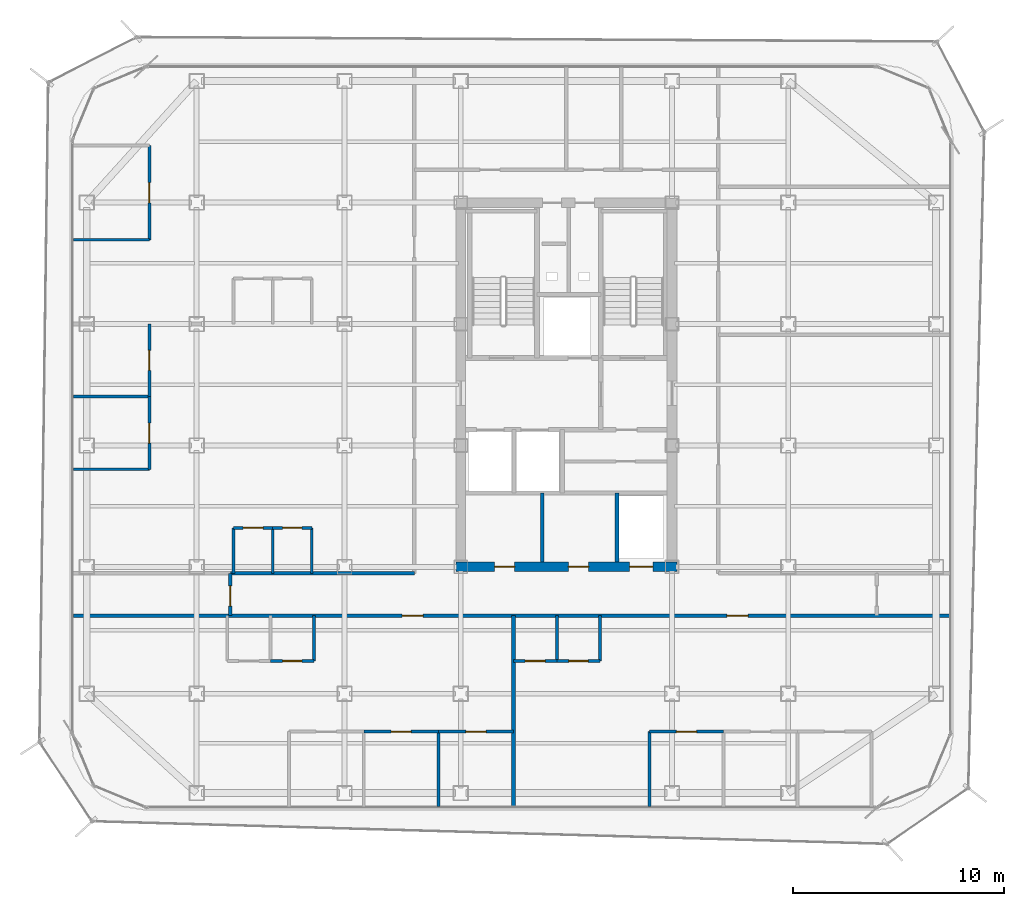
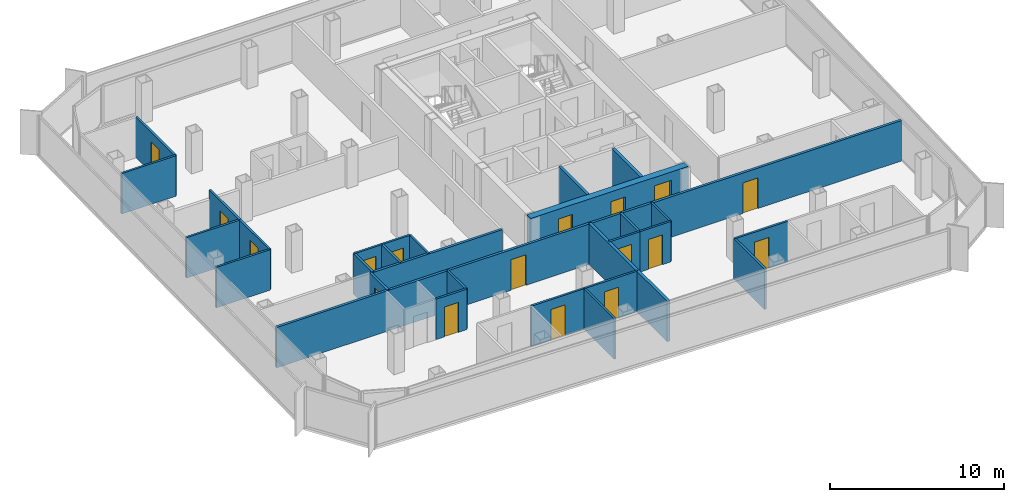
# One storey, part 10 of 15: 29 walls, 17 doors, 17 openings.
"""IFC4 building model written with IfcOpenShell, lengths in metres."""

from ifc_helpers import new_model, si_unit, direction, frame, frame_2d, origin, place, context, subcontext, project, spatial, rectangle, extrude, material, layer, layer_set, type_object, element, fill, save


model = new_model("IFC4")

# Units and contexts
model_context = context("Model", 3, precision=1e-05, world=origin(), true_north=direction((0.0, 1.0)))
body_context = subcontext(model_context, "Body", "Model", "MODEL_VIEW")
ifc_project = project(units=[si_unit("LENGTHUNIT", "METRE"), si_unit("AREAUNIT", "SQUARE_METRE"), si_unit("VOLUMEUNIT", "CUBIC_METRE"), si_unit("PLANEANGLEUNIT", "RADIAN"), si_unit("MASSUNIT", "GRAM", prefix="KILO")], contexts=[model_context])

# Site, building, storey
site_placement = place(None, origin())
site = spatial("IfcSite", under=ifc_project, at=site_placement, CompositionType="ELEMENT")
building_placement = place(site_placement, origin())
building = spatial("IfcBuilding", under=site, at=building_placement, Name="Kolveth Station Tower", CompositionType="ELEMENT")
storey_placement = place(building_placement, frame((0.0, 0.0, 184.89990234375)))
storey = spatial("IfcBuildingStorey", under=building, at=storey_placement, Name="L52", CompositionType="ELEMENT", Elevation=184.89990234375)

# Wall, openings, doors
ifc_material_1 = material(Name="Concrete C50/60", Category="concrete")
ifc_layer_1 = layer(ifc_material_1, 0.449951171875)
ifc_layer_set_1 = layer_set([ifc_layer_1], Name="Concrete C50/60")
wall_type_1 = type_object("IfcWallType", Name="Wall_CW-450", PredefinedType="SHEAR", material=ifc_layer_set_1)
wall_1_placement = place(storey_placement, frame((18.27490234375, 11.5, 0.0), z_axis=(0.0, 0.0, 1.0), x_axis=(1.0, 0.0, 0.0)))
wall_1 = element("IfcWall", 1, at=wall_1_placement, inside=storey, type_object=wall_type_1, Name="L52 Core RC Shear Wall S", PredefinedType="SHEAR", context=body_context, shape_type="SweptSolid", body=[
    extrude(rectangle(XDim=10.4501953125, YDim=0.449951171875, at=frame_2d((5.22509765625, 0.0))), origin(), (0.0, 0.0, 1.0), 2.840087890625),
])
opening_1_placement = place(wall_1_placement, frame((1.824951171875, 0.0, 0.0)))
opening_1 = element("IfcOpeningElement", 2, at=opening_1_placement, cuts=wall_1, Name="Opening ID1", PredefinedType="OPENING", context=body_context, shape_type="SweptSolid", body=[
    extrude(rectangle(XDim=0.949951171875, YDim=2.14990234375, at=frame_2d((0.47509765625, 1.074951171875))), frame((0.0, 0.23486328125, 0.0), z_axis=(0.0, -1.0, 0.0), x_axis=(1.0, 0.0, 0.0)), (0.0, 0.0, 1.0), 0.469970703125),
])
opening_2_placement = place(wall_1_placement, frame((5.324951171875, 0.0, 0.0)))
opening_2 = element("IfcOpeningElement", 3, at=opening_2_placement, cuts=wall_1, Name="Opening ID1", PredefinedType="OPENING", context=body_context, shape_type="SweptSolid", body=[
    extrude(rectangle(XDim=0.949951171875, YDim=2.14990234375, at=frame_2d((0.47509765625, 1.074951171875))), frame((0.0, 0.23486328125, 0.0), z_axis=(0.0, -1.0, 0.0), x_axis=(1.0, 0.0, 0.0)), (0.0, 0.0, 1.0), 0.469970703125),
])
opening_3_placement = place(wall_1_placement, frame((8.22509765625, 0.0, 0.0)))
opening_3 = element("IfcOpeningElement", 4, at=opening_3_placement, cuts=wall_1, Name="Opening LD1", PredefinedType="OPENING", context=body_context, shape_type="SweptSolid", body=[
    extrude(rectangle(XDim=1.10009765625, YDim=2.25, at=frame_2d((0.550048828125, 1.125))), frame((0.0, 0.23486328125, 0.0), z_axis=(0.0, -1.0, 0.0), x_axis=(1.0, 0.0, 0.0)), (0.0, 0.0, 1.0), 0.469970703125),
])
ifc_material_2 = material(Name="Acoustic hardwood leaf and aluminium frame", Category="wood")
door_type_1 = type_object("IfcDoorType", Name="Door_ID1", OperationType="NOTDEFINED", PredefinedType="DOOR", material=ifc_material_2)
door_1_placement = place(opening_1_placement, frame((0.949951171875, 0.0, 0.0), z_axis=(0.0, 0.0, 1.0), x_axis=(-1.0, 0.0, 0.0)))
door_1 = element("IfcDoor", 5, at=door_1_placement, inside=storey, type_object=door_type_1, Name="L52 Laundry Room Door", OperationType="SINGLE_SWING_LEFT", OverallHeight=2.14990234375, OverallWidth=0.949951171875, PredefinedType="DOOR", context=body_context, shape_type="SweptSolid", body=[
    extrude(rectangle(XDim=0.949951171875, YDim=2.14990234375, at=frame_2d((0.47509765625, 1.074951171875))), frame((0.0, 0.02490234375, 0.0), z_axis=(0.0, -1.0, 0.0), x_axis=(1.0, 0.0, 0.0)), (0.0, 0.0, 1.0), 0.050048828125),
])
fill(opening_1, door_1)
door_2_placement = place(opening_2_placement, frame((0.949951171875, 0.0, 0.0), z_axis=(0.0, 0.0, 1.0), x_axis=(-1.0, 0.0, 0.0)))
door_2 = element("IfcDoor", 6, at=door_2_placement, inside=storey, type_object=door_type_1, Name="L52 Parcel Room Door", OperationType="SINGLE_SWING_LEFT", OverallHeight=2.14990234375, OverallWidth=0.949951171875, PredefinedType="DOOR", context=body_context, shape_type="SweptSolid", body=[
    extrude(rectangle(XDim=0.949951171875, YDim=2.14990234375, at=frame_2d((0.47509765625, 1.074951171875))), frame((0.0, 0.02490234375, 0.0), z_axis=(0.0, -1.0, 0.0), x_axis=(1.0, 0.0, 0.0)), (0.0, 0.0, 1.0), 0.050048828125),
])
fill(opening_2, door_2)
ifc_material_3 = material(Name="Brushed stainless steel sliding landing doors", Category="steel")
door_type_2 = type_object("IfcDoorType", Name="Door_LD1", OperationType="NOTDEFINED", PredefinedType="DOOR", material=ifc_material_3)
door_3_placement = place(opening_3_placement, frame((1.10009765625, 0.0, 0.0), z_axis=(0.0, 0.0, 1.0), x_axis=(-1.0, 0.0, 0.0)))
door_3 = element("IfcDoor", 7, at=door_3_placement, inside=storey, type_object=door_type_2, Name="L52 Lift PH1 Landing Door", OperationType="DOUBLE_DOOR_SLIDING", OverallHeight=2.25, OverallWidth=1.10009765625, PredefinedType="DOOR", context=body_context, shape_type="SweptSolid", body=[
    extrude(rectangle(XDim=1.10009765625, YDim=2.25, at=frame_2d((0.550048828125, 1.125))), frame((0.0, 0.02490234375, 0.0), z_axis=(0.0, -1.0, 0.0), x_axis=(1.0, 0.0, 0.0)), (0.0, 0.0, 1.0), 0.050048828125),
])
fill(opening_3, door_3)

# Wall, opening, door
ifc_material_4 = material(Name="Moisture-resistant gypsum partition")
ifc_layer_2 = layer(ifc_material_4, 0.135009765625)
ifc_layer_set_2 = layer_set([ifc_layer_2], Name="Moisture-resistant gypsum partition")
wall_type_2 = type_object("IfcWallType", Name="Wall_IW-135", PredefinedType="PARTITIONING", material=ifc_layer_set_2)
wall_2_placement = place(storey_placement, frame((9.5, 7.050048828125, 0.0), z_axis=(0.0, 0.0, 1.0), x_axis=(1.0, 0.0, 0.0)))
wall_2 = element("IfcWall", 8, at=wall_2_placement, inside=storey, type_object=wall_type_2, Name="L52 Partition Wall WL-L52-A1-IBHB", PredefinedType="PARTITIONING", context=body_context, shape_type="SweptSolid", body=[
    extrude(rectangle(XDim=2.050048828125, YDim=0.135009765625, at=frame_2d((1.02490234375, 0.0))), origin(), (0.0, 0.0, 1.0), 2.840087890625),
])
opening_4_placement = place(wall_2_placement, frame((0.56494140625, 0.0, 0.0)))
opening_4 = element("IfcOpeningElement", 9, at=opening_4_placement, cuts=wall_2, Name="Opening ID2", PredefinedType="OPENING", context=body_context, shape_type="SweptSolid", body=[
    extrude(rectangle(XDim=0.919921875, YDim=2.10009765625, at=frame_2d((0.4599609375, 1.050048828125))), frame((0.0, 0.077392578125, 0.0), z_axis=(0.0, -1.0, 0.0), x_axis=(1.0, 0.0, 0.0)), (0.0, 0.0, 1.0), 0.155029296875),
])
ifc_material_5 = material(Name="Moisture-resistant hardwood leaf", Category="wood")
door_type_3 = type_object("IfcDoorType", Name="Door_ID2", OperationType="NOTDEFINED", PredefinedType="DOOR", material=ifc_material_5)
door_4_placement = place(opening_4_placement, origin())
door_4 = element("IfcDoor", 10, at=door_4_placement, inside=storey, type_object=door_type_3, Name="Penthouse Flat L52-A1 Bathroom Door", OperationType="SINGLE_SWING_LEFT", OverallHeight=2.10009765625, OverallWidth=0.919921875, PredefinedType="DOOR", context=body_context, shape_type="SweptSolid", body=[
    extrude(rectangle(XDim=0.919921875, YDim=2.10009765625, at=frame_2d((0.4599609375, 1.050048828125))), frame((0.0, 0.02490234375, 0.0), z_axis=(0.0, -1.0, 0.0), x_axis=(1.0, 0.0, 0.0)), (0.0, 0.0, 1.0), 0.050048828125),
])
fill(opening_4, door_4)

# Wall
wall_3_placement = place(storey_placement, frame((11.550048828125, 7.050048828125, 0.0), z_axis=(0.0, 0.0, 1.0), x_axis=(0.0, 1.0, 0.0)))
element("IfcWall", 11, at=wall_3_placement, inside=storey, type_object=wall_type_2, Name="L52 Partition Wall WL-L52-A1-IBV2", PredefinedType="PARTITIONING", context=body_context, shape_type="SweptSolid", body=[
    extrude(rectangle(XDim=2.14990234375, YDim=0.135009765625, at=frame_2d((1.074951171875, 0.0))), origin(), (0.0, 0.0, 1.0), 2.840087890625),
])

# Wall, opening, door
wall_4_placement = place(storey_placement, frame((13.911376953125, 3.7099609375, 0.0), z_axis=(0.0, 0.0, 1.0), x_axis=(1.0, 0.0, 0.0)))
wall_4 = element("IfcWall", 12, at=wall_4_placement, inside=storey, type_object=wall_type_2, Name="L52 Partition Wall WL-L52-A1-BDH2", PredefinedType="PARTITIONING", context=body_context, shape_type="SweptSolid", body=[
    extrude(rectangle(XDim=3.54443359375, YDim=0.135009765625, at=frame_2d((1.772216796875, 0.0))), origin(), (0.0, 0.0, 1.0), 2.840087890625),
])
opening_5_placement = place(wall_4_placement, frame((1.2919921875, 0.0, 0.0)))
opening_5 = element("IfcOpeningElement", 13, at=opening_5_placement, cuts=wall_4, Name="Opening ID1", PredefinedType="OPENING", context=body_context, shape_type="SweptSolid", body=[
    extrude(rectangle(XDim=0.949951171875, YDim=2.14990234375, at=frame_2d((0.47509765625, 1.074951171875))), frame((0.0, 0.077392578125, 0.0), z_axis=(0.0, -1.0, 0.0), x_axis=(1.0, 0.0, 0.0)), (0.0, 0.0, 1.0), 0.155029296875),
])
door_5_placement = place(opening_5_placement, frame((0.949951171875, 0.0, 0.0), z_axis=(0.0, 0.0, 1.0), x_axis=(-1.0, 0.0, 0.0)))
door_5 = element("IfcDoor", 14, at=door_5_placement, inside=storey, type_object=door_type_1, Name="Penthouse Flat L52-A1 Bedroom 2 Door", OperationType="SINGLE_SWING_LEFT", OverallHeight=2.14990234375, OverallWidth=0.949951171875, PredefinedType="DOOR", context=body_context, shape_type="SweptSolid", body=[
    extrude(rectangle(XDim=0.949951171875, YDim=2.14990234375, at=frame_2d((0.47509765625, 1.074951171875))), frame((0.0, 0.02490234375, 0.0), z_axis=(0.0, -1.0, 0.0), x_axis=(1.0, 0.0, 0.0)), (0.0, 0.0, 1.0), 0.050048828125),
])
fill(opening_5, door_5)

wall_5_placement = place(storey_placement, frame((17.455810546875, 3.7099609375, 0.0), z_axis=(0.0, 0.0, 1.0), x_axis=(1.0, 0.0, 0.0)))
wall_5 = element("IfcWall", 15, at=wall_5_placement, inside=storey, type_object=wall_type_2, Name="L52 Partition Wall WL-L52-A1-BDH3", PredefinedType="PARTITIONING", context=body_context, shape_type="SweptSolid", body=[
    extrude(rectangle(XDim=3.544189453125, YDim=0.135009765625, at=frame_2d((1.77197265625, 0.0))), origin(), (0.0, 0.0, 1.0), 2.840087890625),
])
opening_6_placement = place(wall_5_placement, frame((1.2919921875, 0.0, 0.0)))
opening_6 = element("IfcOpeningElement", 16, at=opening_6_placement, cuts=wall_5, Name="Opening ID1", PredefinedType="OPENING", context=body_context, shape_type="SweptSolid", body=[
    extrude(rectangle(XDim=0.949951171875, YDim=2.14990234375, at=frame_2d((0.47509765625, 1.074951171875))), frame((0.0, 0.077392578125, 0.0), z_axis=(0.0, -1.0, 0.0), x_axis=(1.0, 0.0, 0.0)), (0.0, 0.0, 1.0), 0.155029296875),
])
door_6_placement = place(opening_6_placement, frame((0.949951171875, 0.0, 0.0), z_axis=(0.0, 0.0, 1.0), x_axis=(-1.0, 0.0, 0.0)))
door_6 = element("IfcDoor", 17, at=door_6_placement, inside=storey, type_object=door_type_1, Name="Penthouse Flat L52-A1 Bedroom 3 Door", OperationType="SINGLE_SWING_RIGHT", OverallHeight=2.14990234375, OverallWidth=0.949951171875, PredefinedType="DOOR", context=body_context, shape_type="SweptSolid", body=[
    extrude(rectangle(XDim=0.949951171875, YDim=2.14990234375, at=frame_2d((0.47509765625, 1.074951171875))), frame((0.0, 0.02490234375, 0.0), z_axis=(0.0, -1.0, 0.0), x_axis=(1.0, 0.0, 0.0)), (0.0, 0.0, 1.0), 0.050048828125),
])
fill(opening_6, door_6)

# Wall
wall_6_placement = place(storey_placement, frame((17.455810546875, 0.159912109375, 0.0), z_axis=(0.0, 0.0, 1.0), x_axis=(0.0, 1.0, 0.0)))
element("IfcWall", 18, at=wall_6_placement, inside=storey, type_object=wall_type_2, Name="L52 Partition Wall WL-L52-A1-BDV2", PredefinedType="PARTITIONING", context=body_context, shape_type="SweptSolid", body=[
    extrude(rectangle(XDim=3.550048828125, YDim=0.135009765625, at=frame_2d((1.77490234375, 0.0))), origin(), (0.0, 0.0, 1.0), 2.840087890625),
])

# Wall, opening, door
wall_7_placement = place(storey_placement, frame((21.0, 7.050048828125, 0.0), z_axis=(0.0, 0.0, 1.0), x_axis=(1.0, 0.0, 0.0)))
wall_7 = element("IfcWall", 19, at=wall_7_placement, inside=storey, type_object=wall_type_2, Name="L52 Partition Wall WL-L52-A2-IBHK", PredefinedType="PARTITIONING", context=body_context, shape_type="SweptSolid", body=[
    extrude(rectangle(XDim=2.050048828125, YDim=0.135009765625, at=frame_2d((1.02490234375, 0.0))), origin(), (0.0, 0.0, 1.0), 2.840087890625),
])
opening_7_placement = place(wall_7_placement, frame((0.544921875, 0.0, 0.0)))
opening_7 = element("IfcOpeningElement", 20, at=opening_7_placement, cuts=wall_7, Name="Opening ID1", PredefinedType="OPENING", context=body_context, shape_type="SweptSolid", body=[
    extrude(rectangle(XDim=0.949951171875, YDim=2.14990234375, at=frame_2d((0.47509765625, 1.074951171875))), frame((0.0, 0.077392578125, 0.0), z_axis=(0.0, -1.0, 0.0), x_axis=(1.0, 0.0, 0.0)), (0.0, 0.0, 1.0), 0.155029296875),
])
door_7_placement = place(opening_7_placement, origin())
door_7 = element("IfcDoor", 21, at=door_7_placement, inside=storey, type_object=door_type_1, Name="Penthouse Flat L52-A2 Kitchen Door", OperationType="SINGLE_SWING_RIGHT", OverallHeight=2.14990234375, OverallWidth=0.949951171875, PredefinedType="DOOR", context=body_context, shape_type="SweptSolid", body=[
    extrude(rectangle(XDim=0.949951171875, YDim=2.14990234375, at=frame_2d((0.47509765625, 1.074951171875))), frame((0.0, 0.02490234375, 0.0), z_axis=(0.0, -1.0, 0.0), x_axis=(1.0, 0.0, 0.0)), (0.0, 0.0, 1.0), 0.050048828125),
])
fill(opening_7, door_7)

wall_8_placement = place(storey_placement, frame((23.050048828125, 7.050048828125, 0.0), z_axis=(0.0, 0.0, 1.0), x_axis=(1.0, 0.0, 0.0)))
wall_8 = element("IfcWall", 22, at=wall_8_placement, inside=storey, type_object=wall_type_2, Name="L52 Partition Wall WL-L52-A2-IBHB", PredefinedType="PARTITIONING", context=body_context, shape_type="SweptSolid", body=[
    extrude(rectangle(XDim=2.050048828125, YDim=0.135009765625, at=frame_2d((1.02490234375, 0.0))), origin(), (0.0, 0.0, 1.0), 2.840087890625),
])
opening_8_placement = place(wall_8_placement, frame((0.56494140625, 0.0, 0.0)))
opening_8 = element("IfcOpeningElement", 23, at=opening_8_placement, cuts=wall_8, Name="Opening ID2", PredefinedType="OPENING", context=body_context, shape_type="SweptSolid", body=[
    extrude(rectangle(XDim=0.919921875, YDim=2.10009765625, at=frame_2d((0.4599609375, 1.050048828125))), frame((0.0, 0.077392578125, 0.0), z_axis=(0.0, -1.0, 0.0), x_axis=(1.0, 0.0, 0.0)), (0.0, 0.0, 1.0), 0.155029296875),
])
door_8_placement = place(opening_8_placement, origin())
door_8 = element("IfcDoor", 24, at=door_8_placement, inside=storey, type_object=door_type_3, Name="Penthouse Flat L52-A2 Bathroom Door", OperationType="SINGLE_SWING_LEFT", OverallHeight=2.10009765625, OverallWidth=0.919921875, PredefinedType="DOOR", context=body_context, shape_type="SweptSolid", body=[
    extrude(rectangle(XDim=0.919921875, YDim=2.10009765625, at=frame_2d((0.4599609375, 1.050048828125))), frame((0.0, 0.02490234375, 0.0), z_axis=(0.0, -1.0, 0.0), x_axis=(1.0, 0.0, 0.0)), (0.0, 0.0, 1.0), 0.050048828125),
])
fill(opening_8, door_8)

# Walls
for number, where, z_axis, x_axis, name in (
    (25, (23.050048828125, 7.050048828125, 0.0), (0.0, 0.0, 1.0), (0.0, 1.0, 0.0), "L52 Partition Wall WL-L52-A2-IBV1"),
    (26, (25.10009765625, 7.050048828125, 0.0), (0.0, 0.0, 1.0), (0.0, 1.0, 0.0), "L52 Partition Wall WL-L52-A2-IBV2"),
):
    element("IfcWall", number, at=place(storey_placement, frame(where, z_axis=z_axis, x_axis=x_axis)), inside=storey, type_object=wall_type_2, Name=name, PredefinedType="PARTITIONING", context=body_context, shape_type="SweptSolid", body=[
        extrude(rectangle(XDim=2.14990234375, YDim=0.135009765625, at=frame_2d((1.074951171875, 0.0))), origin(), (0.0, 0.0, 1.0), 2.840087890625),
    ])
wall_9_placement = place(storey_placement, frame((27.44091796875, 0.159912109375, 0.0), z_axis=(0.0, 0.0, 1.0), x_axis=(0.0, 1.0, 0.0)))
element("IfcWall", 27, at=wall_9_placement, inside=storey, type_object=wall_type_2, Name="L52 Partition Wall WL-L52-A2-BDV0", PredefinedType="PARTITIONING", context=body_context, shape_type="SweptSolid", body=[
    extrude(rectangle(XDim=3.550048828125, YDim=0.135009765625, at=frame_2d((1.77490234375, 0.0))), origin(), (0.0, 0.0, 1.0), 2.840087890625),
])

# Wall, opening, door
wall_10_placement = place(storey_placement, frame((27.44091796875, 3.7099609375, 0.0), z_axis=(0.0, 0.0, 1.0), x_axis=(1.0, 0.0, 0.0)))
wall_10 = element("IfcWall", 28, at=wall_10_placement, inside=storey, type_object=wall_type_2, Name="L52 Partition Wall WL-L52-A2-BDH1", PredefinedType="PARTITIONING", context=body_context, shape_type="SweptSolid", body=[
    extrude(rectangle(XDim=3.503173828125, YDim=0.135009765625, at=frame_2d((1.75146484375, 0.0))), origin(), (0.0, 0.0, 1.0), 2.840087890625),
])
opening_9_placement = place(wall_10_placement, frame((1.27099609375, 0.0, 0.0)))
opening_9 = element("IfcOpeningElement", 29, at=opening_9_placement, cuts=wall_10, Name="Opening ID1", PredefinedType="OPENING", context=body_context, shape_type="SweptSolid", body=[
    extrude(rectangle(XDim=0.949951171875, YDim=2.14990234375, at=frame_2d((0.47509765625, 1.074951171875))), frame((0.0, 0.077392578125, 0.0), z_axis=(0.0, -1.0, 0.0), x_axis=(1.0, 0.0, 0.0)), (0.0, 0.0, 1.0), 0.155029296875),
])
door_9_placement = place(opening_9_placement, frame((0.949951171875, 0.0, 0.0), z_axis=(0.0, 0.0, 1.0), x_axis=(-1.0, 0.0, 0.0)))
door_9 = element("IfcDoor", 30, at=door_9_placement, inside=storey, type_object=door_type_1, Name="Penthouse Flat L52-A2 Bedroom 1 Door", OperationType="SINGLE_SWING_LEFT", OverallHeight=2.14990234375, OverallWidth=0.949951171875, PredefinedType="DOOR", context=body_context, shape_type="SweptSolid", body=[
    extrude(rectangle(XDim=0.949951171875, YDim=2.14990234375, at=frame_2d((0.47509765625, 1.074951171875))), frame((0.0, 0.02490234375, 0.0), z_axis=(0.0, -1.0, 0.0), x_axis=(1.0, 0.0, 0.0)), (0.0, 0.0, 1.0), 0.050048828125),
])
fill(opening_9, door_9)

wall_11_placement = place(storey_placement, frame((7.75, 13.35009765625, 0.0), z_axis=(0.0, 0.0, 1.0), x_axis=(1.0, 0.0, 0.0)))
wall_11 = element("IfcWall", 31, at=wall_11_placement, inside=storey, type_object=wall_type_2, Name="L52 Partition Wall WL-L52-W1-IBHK", PredefinedType="PARTITIONING", context=body_context, shape_type="SweptSolid", body=[
    extrude(rectangle(XDim=1.85009765625, YDim=0.135009765625, at=frame_2d((0.925048828125, 0.0))), origin(), (0.0, 0.0, 1.0), 2.840087890625),
])
opening_10_placement = place(wall_11_placement, frame((0.445068359375, 0.0, 0.0)))
opening_10 = element("IfcOpeningElement", 32, at=opening_10_placement, cuts=wall_11, Name="Opening ID1", PredefinedType="OPENING", context=body_context, shape_type="SweptSolid", body=[
    extrude(rectangle(XDim=0.949951171875, YDim=2.14990234375, at=frame_2d((0.47509765625, 1.074951171875))), frame((0.0, 0.077392578125, 0.0), z_axis=(0.0, -1.0, 0.0), x_axis=(1.0, 0.0, 0.0)), (0.0, 0.0, 1.0), 0.155029296875),
])
door_10_placement = place(opening_10_placement, origin())
door_10 = element("IfcDoor", 33, at=door_10_placement, inside=storey, type_object=door_type_1, Name="Penthouse Flat L52-W1 Kitchen Door", OperationType="SINGLE_SWING_RIGHT", OverallHeight=2.14990234375, OverallWidth=0.949951171875, PredefinedType="DOOR", context=body_context, shape_type="SweptSolid", body=[
    extrude(rectangle(XDim=0.949951171875, YDim=2.14990234375, at=frame_2d((0.47509765625, 1.074951171875))), frame((0.0, 0.02490234375, 0.0), z_axis=(0.0, -1.0, 0.0), x_axis=(1.0, 0.0, 0.0)), (0.0, 0.0, 1.0), 0.050048828125),
])
fill(opening_10, door_10)

wall_12_placement = place(storey_placement, frame((9.60009765625, 13.35009765625, 0.0), z_axis=(0.0, 0.0, 1.0), x_axis=(1.0, 0.0, 0.0)))
wall_12 = element("IfcWall", 34, at=wall_12_placement, inside=storey, type_object=wall_type_2, Name="L52 Partition Wall WL-L52-W1-IBHB", PredefinedType="PARTITIONING", context=body_context, shape_type="SweptSolid", body=[
    extrude(rectangle(XDim=1.849853515625, YDim=0.135009765625, at=frame_2d((0.9248046875, 0.0))), origin(), (0.0, 0.0, 1.0), 2.840087890625),
])
opening_11_placement = place(wall_12_placement, frame((0.465087890625, 0.0, 0.0)))
opening_11 = element("IfcOpeningElement", 35, at=opening_11_placement, cuts=wall_12, Name="Opening ID2", PredefinedType="OPENING", context=body_context, shape_type="SweptSolid", body=[
    extrude(rectangle(XDim=0.919921875, YDim=2.10009765625, at=frame_2d((0.4599609375, 1.050048828125))), frame((0.0, 0.077392578125, 0.0), z_axis=(0.0, -1.0, 0.0), x_axis=(1.0, 0.0, 0.0)), (0.0, 0.0, 1.0), 0.155029296875),
])
door_11_placement = place(opening_11_placement, origin())
door_11 = element("IfcDoor", 36, at=door_11_placement, inside=storey, type_object=door_type_3, Name="Penthouse Flat L52-W1 Bathroom Door", OperationType="SINGLE_SWING_LEFT", OverallHeight=2.10009765625, OverallWidth=0.919921875, PredefinedType="DOOR", context=body_context, shape_type="SweptSolid", body=[
    extrude(rectangle(XDim=0.919921875, YDim=2.10009765625, at=frame_2d((0.4599609375, 1.050048828125))), frame((0.0, 0.02490234375, 0.0), z_axis=(0.0, -1.0, 0.0), x_axis=(1.0, 0.0, 0.0)), (0.0, 0.0, 1.0), 0.050048828125),
])
fill(opening_11, door_11)

# Walls
for number, where, z_axis, x_axis, name in (
    (37, (7.75, 11.199951171875, 0.0), (0.0, 0.0, 1.0), (0.0, 1.0, 0.0), "L52 Partition Wall WL-L52-W1-IBV0"),
    (38, (9.60009765625, 11.199951171875, 0.0), (0.0, 0.0, 1.0), (0.0, 1.0, 0.0), "L52 Partition Wall WL-L52-W1-IBV1"),
    (39, (11.449951171875, 11.199951171875, 0.0), (0.0, 0.0, 1.0), (0.0, 1.0, 0.0), "L52 Partition Wall WL-L52-W1-IBV2"),
):
    element("IfcWall", number, at=place(storey_placement, frame(where, z_axis=z_axis, x_axis=x_axis)), inside=storey, type_object=wall_type_2, Name=name, PredefinedType="PARTITIONING", context=body_context, shape_type="SweptSolid", body=[
        extrude(rectangle(XDim=2.150146484375, YDim=0.135009765625, at=frame_2d((1.0751953125, 0.0))), origin(), (0.0, 0.0, 1.0), 2.840087890625),
    ])
wall_13_placement = place(storey_placement, frame((0.159912109375, 16.1240234375, 0.0), z_axis=(0.0, 0.0, 1.0), x_axis=(1.0, 0.0, 0.0)))
element("IfcWall", 40, at=wall_13_placement, inside=storey, type_object=wall_type_2, Name="L52 Partition Wall WL-L52-W1-BDH0", PredefinedType="PARTITIONING", context=body_context, shape_type="SweptSolid", body=[
    extrude(rectangle(XDim=3.60009765625, YDim=0.135009765625, at=frame_2d((1.800048828125, 0.0))), origin(), (0.0, 0.0, 1.0), 2.840087890625),
])

# Wall, opening, door
wall_14_placement = place(storey_placement, frame((3.760009765625, 16.1240234375, 0.0), z_axis=(0.0, 0.0, 1.0), x_axis=(0.0, 1.0, 0.0)))
wall_14 = element("IfcWall", 41, at=wall_14_placement, inside=storey, type_object=wall_type_2, Name="L52 Partition Wall WL-L52-W1-BDV1", PredefinedType="PARTITIONING", context=body_context, shape_type="SweptSolid", body=[
    extrude(rectangle(XDim=3.43798828125, YDim=0.135009765625, at=frame_2d((1.718994140625, 0.0))), origin(), (0.0, 0.0, 1.0), 2.840087890625),
])
opening_12_placement = place(wall_14_placement, frame((1.239013671875, 0.0, 0.0)))
opening_12 = element("IfcOpeningElement", 42, at=opening_12_placement, cuts=wall_14, Name="Opening ID1", PredefinedType="OPENING", context=body_context, shape_type="SweptSolid", body=[
    extrude(rectangle(XDim=0.949951171875, YDim=2.14990234375, at=frame_2d((0.47509765625, 1.074951171875))), frame((0.0, 0.077392578125, 0.0), z_axis=(0.0, -1.0, 0.0), x_axis=(1.0, 0.0, 0.0)), (0.0, 0.0, 1.0), 0.155029296875),
])
door_12_placement = place(opening_12_placement, origin())
door_12 = element("IfcDoor", 43, at=door_12_placement, inside=storey, type_object=door_type_1, Name="Penthouse Flat L52-W1 Bedroom 1 Door", OperationType="SINGLE_SWING_RIGHT", OverallHeight=2.14990234375, OverallWidth=0.949951171875, PredefinedType="DOOR", context=body_context, shape_type="SweptSolid", body=[
    extrude(rectangle(XDim=0.949951171875, YDim=2.14990234375, at=frame_2d((0.47509765625, 1.074951171875))), frame((0.0, 0.02490234375, 0.0), z_axis=(0.0, -1.0, 0.0), x_axis=(1.0, 0.0, 0.0)), (0.0, 0.0, 1.0), 0.050048828125),
])
fill(opening_12, door_12)

wall_15_placement = place(storey_placement, frame((3.760009765625, 19.56201171875, 0.0), z_axis=(0.0, 0.0, 1.0), x_axis=(0.0, 1.0, 0.0)))
wall_15 = element("IfcWall", 44, at=wall_15_placement, inside=storey, type_object=wall_type_2, Name="L52 Partition Wall WL-L52-W1-BDV2", PredefinedType="PARTITIONING", context=body_context, shape_type="SweptSolid", body=[
    extrude(rectangle(XDim=3.43798828125, YDim=0.135009765625, at=frame_2d((1.718994140625, 0.0))), origin(), (0.0, 0.0, 1.0), 2.840087890625),
])
opening_13_placement = place(wall_15_placement, frame((1.239013671875, 0.0, 0.0)))
opening_13 = element("IfcOpeningElement", 45, at=opening_13_placement, cuts=wall_15, Name="Opening ID1", PredefinedType="OPENING", context=body_context, shape_type="SweptSolid", body=[
    extrude(rectangle(XDim=0.949951171875, YDim=2.14990234375, at=frame_2d((0.47509765625, 1.074951171875))), frame((0.0, 0.077392578125, 0.0), z_axis=(0.0, -1.0, 0.0), x_axis=(1.0, 0.0, 0.0)), (0.0, 0.0, 1.0), 0.155029296875),
])
door_13_placement = place(opening_13_placement, origin())
door_13 = element("IfcDoor", 46, at=door_13_placement, inside=storey, type_object=door_type_1, Name="Penthouse Flat L52-W1 Bedroom 2 Door", OperationType="SINGLE_SWING_LEFT", OverallHeight=2.14990234375, OverallWidth=0.949951171875, PredefinedType="DOOR", context=body_context, shape_type="SweptSolid", body=[
    extrude(rectangle(XDim=0.949951171875, YDim=2.14990234375, at=frame_2d((0.47509765625, 1.074951171875))), frame((0.0, 0.02490234375, 0.0), z_axis=(0.0, -1.0, 0.0), x_axis=(1.0, 0.0, 0.0)), (0.0, 0.0, 1.0), 0.050048828125),
])
fill(opening_13, door_13)

# Walls
for number, where, z_axis, x_axis, name in (
    (47, (0.159912109375, 19.56201171875, 0.0), (0.0, 0.0, 1.0), (1.0, 0.0, 0.0), "L52 Partition Wall WL-L52-W1-BDH1"),
    (48, (0.159912109375, 26.986083984375, 0.0), (0.0, 0.0, 1.0), (1.0, 0.0, 0.0), "L52 Partition Wall WL-L52-W2-BDH0"),
):
    element("IfcWall", number, at=place(storey_placement, frame(where, z_axis=z_axis, x_axis=x_axis)), inside=storey, type_object=wall_type_2, Name=name, PredefinedType="PARTITIONING", context=body_context, shape_type="SweptSolid", body=[
        extrude(rectangle(XDim=3.60009765625, YDim=0.135009765625, at=frame_2d((1.800048828125, 0.0))), origin(), (0.0, 0.0, 1.0), 2.840087890625),
    ])

# Wall, opening, door
wall_16_placement = place(storey_placement, frame((3.760009765625, 26.986083984375, 0.0), z_axis=(0.0, 0.0, 1.0), x_axis=(0.0, 1.0, 0.0)))
wall_16 = element("IfcWall", 49, at=wall_16_placement, inside=storey, type_object=wall_type_2, Name="L52 Partition Wall WL-L52-W2-BDV1", PredefinedType="PARTITIONING", context=body_context, shape_type="SweptSolid", body=[
    extrude(rectangle(XDim=4.4638671875, YDim=0.135009765625, at=frame_2d((2.23193359375, 0.0))), origin(), (0.0, 0.0, 1.0), 2.840087890625),
])
opening_14_placement = place(wall_16_placement, frame((1.751953125, 0.0, 0.0)))
opening_14 = element("IfcOpeningElement", 50, at=opening_14_placement, cuts=wall_16, Name="Opening ID1", PredefinedType="OPENING", context=body_context, shape_type="SweptSolid", body=[
    extrude(rectangle(XDim=0.949951171875, YDim=2.14990234375, at=frame_2d((0.47509765625, 1.074951171875))), frame((0.0, 0.077392578125, 0.0), z_axis=(0.0, -1.0, 0.0), x_axis=(1.0, 0.0, 0.0)), (0.0, 0.0, 1.0), 0.155029296875),
])
door_14_placement = place(opening_14_placement, origin())
door_14 = element("IfcDoor", 51, at=door_14_placement, inside=storey, type_object=door_type_1, Name="Penthouse Flat L52-W2 Bedroom 1 Door", OperationType="SINGLE_SWING_LEFT", OverallHeight=2.14990234375, OverallWidth=0.949951171875, PredefinedType="DOOR", context=body_context, shape_type="SweptSolid", body=[
    extrude(rectangle(XDim=0.949951171875, YDim=2.14990234375, at=frame_2d((0.47509765625, 1.074951171875))), frame((0.0, 0.02490234375, 0.0), z_axis=(0.0, -1.0, 0.0), x_axis=(1.0, 0.0, 0.0)), (0.0, 0.0, 1.0), 0.050048828125),
])
fill(opening_14, door_14)

# Wall
ifc_material_6 = material(Name="Acoustic double-stud gypsum partition")
ifc_layer_3 = layer(ifc_material_6, 0.1650390625)
ifc_layer_set_3 = layer_set([ifc_layer_3], Name="Acoustic double-stud gypsum partition")
wall_type_3 = type_object("IfcWallType", Name="Wall_IW-165", PredefinedType="PARTITIONING", material=ifc_layer_set_3)
wall_17_placement = place(storey_placement, frame((22.35009765625, 11.735107421875, 0.0), z_axis=(0.0, 0.0, 1.0), x_axis=(0.0, 1.0, 0.0)))
element("IfcWall", 52, at=wall_17_placement, inside=storey, type_object=wall_type_3, Name="L52 Partition Wall WL-L52-FR-M", PredefinedType="PARTITIONING", context=body_context, shape_type="SweptSolid", body=[
    extrude(rectangle(XDim=3.264892578125, YDim=0.1650390625, at=frame_2d((1.63232421875, 0.0))), origin(), (0.0, 0.0, 1.0), 2.840087890625),
])

# Wall, openings, doors
wall_18_placement = place(storey_placement, frame((0.159912109375, 9.199951171875, 0.0), z_axis=(0.0, 0.0, 1.0), x_axis=(1.0, 0.0, 0.0)))
wall_18 = element("IfcWall", 53, at=wall_18_placement, inside=storey, type_object=wall_type_3, Name="L52 Partition Wall WL-L52-RS", PredefinedType="PARTITIONING", context=body_context, shape_type="SweptSolid", body=[
    extrude(rectangle(XDim=41.47998046875, YDim=0.1650390625, at=frame_2d((20.739990234375, 0.0))), origin(), (0.0, 0.0, 1.0), 2.840087890625),
])
opening_15_placement = place(wall_18_placement, frame((15.56494140625, 0.0, 0.0)))
opening_15 = element("IfcOpeningElement", 54, at=opening_15_placement, cuts=wall_18, Name="Opening FD3", PredefinedType="OPENING", context=body_context, shape_type="SweptSolid", body=[
    extrude(rectangle(XDim=1.0, YDim=2.14990234375, at=frame_2d((0.5, 1.074951171875))), frame((0.0, 0.092529296875, 0.0), z_axis=(0.0, -1.0, 0.0), x_axis=(1.0, 0.0, 0.0)), (0.0, 0.0, 1.0), 0.18505859375),
])
opening_16_placement = place(wall_18_placement, frame((30.93994140625, 0.0, 0.0)))
opening_16 = element("IfcOpeningElement", 55, at=opening_16_placement, cuts=wall_18, Name="Opening FD3", PredefinedType="OPENING", context=body_context, shape_type="SweptSolid", body=[
    extrude(rectangle(XDim=1.0, YDim=2.14990234375, at=frame_2d((0.5, 1.074951171875))), frame((0.0, 0.092529296875, 0.0), z_axis=(0.0, -1.0, 0.0), x_axis=(1.0, 0.0, 0.0)), (0.0, 0.0, 1.0), 0.18505859375),
])
ifc_material_7 = material(Name="Fire-rated hardwood leaf and aluminium frame", Category="wood")
door_type_4 = type_object("IfcDoorType", Name="Door_FD3", OperationType="NOTDEFINED", PredefinedType="DOOR", material=ifc_material_7)
door_15_placement = place(opening_15_placement, frame((1.0, 0.0, 0.0), z_axis=(0.0, 0.0, 1.0), x_axis=(-1.0, 0.0, 0.0)))
door_15 = element("IfcDoor", 56, at=door_15_placement, inside=storey, type_object=door_type_4, Name="Penthouse Flat L52-A1 Entrance Door", OperationType="SINGLE_SWING_LEFT", OverallHeight=2.14990234375, OverallWidth=1.0, PredefinedType="DOOR", context=body_context, shape_type="SweptSolid", body=[
    extrude(rectangle(XDim=1.0, YDim=2.14990234375, at=frame_2d((0.5, 1.074951171875))), frame((0.0, 0.02490234375, 0.0), z_axis=(0.0, -1.0, 0.0), x_axis=(1.0, 0.0, 0.0)), (0.0, 0.0, 1.0), 0.050048828125),
])
fill(opening_15, door_15)
door_16_placement = place(opening_16_placement, frame((1.0, 0.0, 0.0), z_axis=(0.0, 0.0, 1.0), x_axis=(-1.0, 0.0, 0.0)))
door_16 = element("IfcDoor", 57, at=door_16_placement, inside=storey, type_object=door_type_4, Name="Penthouse Flat L52-A2 Entrance Door", OperationType="SINGLE_SWING_LEFT", OverallHeight=2.14990234375, OverallWidth=1.0, PredefinedType="DOOR", context=body_context, shape_type="SweptSolid", body=[
    extrude(rectangle(XDim=1.0, YDim=2.14990234375, at=frame_2d((0.5, 1.074951171875))), frame((0.0, 0.02490234375, 0.0), z_axis=(0.0, -1.0, 0.0), x_axis=(1.0, 0.0, 0.0)), (0.0, 0.0, 1.0), 0.050048828125),
])
fill(opening_16, door_16)

# Wall
wall_19_placement = place(storey_placement, frame((7.60009765625, 11.199951171875, 0.0), z_axis=(0.0, 0.0, 1.0), x_axis=(1.0, 0.0, 0.0)))
element("IfcWall", 58, at=wall_19_placement, inside=storey, type_object=wall_type_3, Name="L52 Partition Wall WL-L52-RSWT", PredefinedType="PARTITIONING", context=body_context, shape_type="SweptSolid", body=[
    extrude(rectangle(XDim=8.699951171875, YDim=0.1650390625, at=frame_2d((4.35009765625, 0.0))), origin(), (0.0, 0.0, 1.0), 2.840087890625),
])

# Wall, opening, door
wall_20_placement = place(storey_placement, frame((7.60009765625, 9.199951171875, 0.0), z_axis=(0.0, 0.0, 1.0), x_axis=(0.0, 1.0, 0.0)))
wall_20 = element("IfcWall", 59, at=wall_20_placement, inside=storey, type_object=wall_type_3, Name="L52 Partition Wall WL-L52-RSWE", PredefinedType="PARTITIONING", context=body_context, shape_type="SweptSolid", body=[
    extrude(rectangle(XDim=2.0, YDim=0.1650390625, at=frame_2d((1.0, 0.0))), origin(), (0.0, 0.0, 1.0), 2.840087890625),
])
opening_17_placement = place(wall_20_placement, frame((0.449951171875, 0.0, 0.0)))
opening_17 = element("IfcOpeningElement", 60, at=opening_17_placement, cuts=wall_20, Name="Opening ID1", PredefinedType="OPENING", context=body_context, shape_type="SweptSolid", body=[
    extrude(rectangle(XDim=0.949951171875, YDim=2.14990234375, at=frame_2d((0.47509765625, 1.074951171875))), frame((0.0, 0.092529296875, 0.0), z_axis=(0.0, -1.0, 0.0), x_axis=(1.0, 0.0, 0.0)), (0.0, 0.0, 1.0), 0.18505859375),
])
door_17_placement = place(opening_17_placement, frame((0.949951171875, 0.0, 0.0), z_axis=(0.0, 0.0, 1.0), x_axis=(-1.0, 0.0, 0.0)))
door_17 = element("IfcDoor", 61, at=door_17_placement, inside=storey, type_object=door_type_1, Name="L52 West Store Door", OperationType="SINGLE_SWING_RIGHT", OverallHeight=2.14990234375, OverallWidth=0.949951171875, PredefinedType="DOOR", context=body_context, shape_type="SweptSolid", body=[
    extrude(rectangle(XDim=0.949951171875, YDim=2.14990234375, at=frame_2d((0.47509765625, 1.074951171875))), frame((0.0, 0.02490234375, 0.0), z_axis=(0.0, -1.0, 0.0), x_axis=(1.0, 0.0, 0.0)), (0.0, 0.0, 1.0), 0.050048828125),
])
fill(opening_17, door_17)

# Walls
ifc_material_8 = material(Name="Acoustic fire-rated gypsum blockwork", Category="masonry")
ifc_layer_4 = layer(ifc_material_8, 0.199951171875)
ifc_layer_set_4 = layer_set([ifc_layer_4], Name="Acoustic fire-rated gypsum blockwork")
wall_type_4 = type_object("IfcWallType", Name="Wall_IW-200", PredefinedType="PARTITIONING", material=ifc_layer_set_4)
wall_21_placement = place(storey_placement, frame((25.89990234375, 11.735107421875, 0.0), z_axis=(0.0, 0.0, 1.0), x_axis=(0.0, 1.0, 0.0)))
element("IfcWall", 62, at=wall_21_placement, inside=storey, type_object=wall_type_4, Name="L52 Partition Wall WL-L52-PMPH", PredefinedType="PARTITIONING", context=body_context, shape_type="SweptSolid", body=[
    extrude(rectangle(XDim=3.264892578125, YDim=0.199951171875, at=frame_2d((1.63232421875, 0.0))), origin(), (0.0, 0.0, 1.0), 2.840087890625),
])
wall_22_placement = place(storey_placement, frame((21.0, 0.159912109375, 0.0), z_axis=(0.0, 0.0, 1.0), x_axis=(0.0, 1.0, 0.0)))
element("IfcWall", 63, at=wall_22_placement, inside=storey, type_object=wall_type_4, Name="L52 Partition Wall WL-L52-RSU-1", PredefinedType="PARTITIONING", context=body_context, shape_type="SweptSolid", body=[
    extrude(rectangle(XDim=9.0400390625, YDim=0.199951171875, at=frame_2d((4.52001953125, 0.0))), origin(), (0.0, 0.0, 1.0), 2.840087890625),
])

save(model, "model.ifc")
